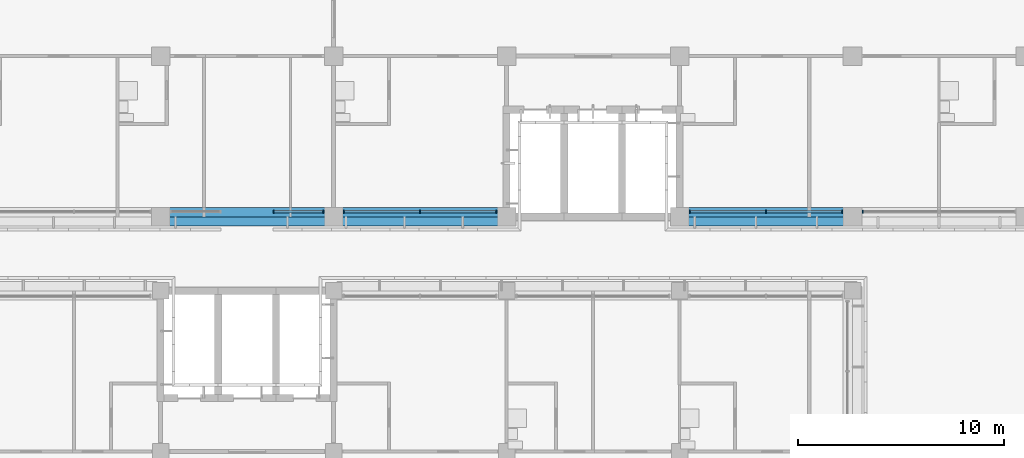
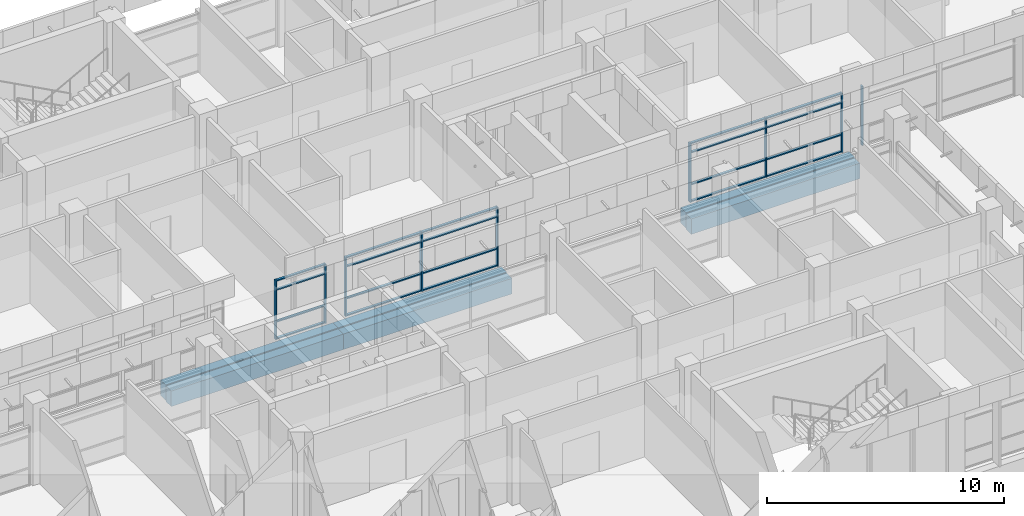
# One storey, part 33 of 137: 29 members, 6 beams, 4 elements without a shape of their own.
"""IFC4 building model written with IfcOpenShell, lengths in metres."""

from ifc_helpers import new_model, si_unit, direction, frame, origin, origin_2d, place, context, subcontext, project, spatial, rectangle, extrude, material, material_profile, profile_set, type_object, element, aggregate, save


model = new_model("IFC4")

# Units and contexts
model_context = context("Model", 3, precision=1e-05, world=origin(), true_north=direction((0.0, 1.0)))
body_context = subcontext(model_context, "Body", "Model", "MODEL_VIEW")
ifc_project = project(units=[si_unit("LENGTHUNIT", "METRE"), si_unit("AREAUNIT", "SQUARE_METRE"), si_unit("VOLUMEUNIT", "CUBIC_METRE"), si_unit("PLANEANGLEUNIT", "RADIAN"), si_unit("MASSUNIT", "GRAM", prefix="KILO")], contexts=[model_context])

# Site, building, storey
site_placement = place(None, origin())
site = spatial("IfcSite", under=ifc_project, at=site_placement, CompositionType="ELEMENT")
building_placement = place(site_placement, origin())
building = spatial("IfcBuilding", under=site, at=building_placement, Name="Bougainvillea Quay General Hospital", CompositionType="ELEMENT")
storey_placement = place(building_placement, frame((0.0, 0.0, 16.800048828125)))
storey = spatial("IfcBuildingStorey", under=building, at=storey_placement, Name="L03", CompositionType="ELEMENT", Elevation=16.800048828125)

# Curtain wall, members
ifc_material_1 = material(Name="Aluminium curtain wall system, powder-coated glazed", Category="aluminium")
curtain_wall_type_1 = type_object("IfcCurtainWallType", Name="Unitised curtain wall CW-2470", PredefinedType="NOTDEFINED", material=ifc_material_1)
curtain_wall_1_placement = place(storey_placement, origin())
curtain_wall_1 = element("IfcCurtainWall", 1, at=curtain_wall_1_placement, inside=storey, type_object=curtain_wall_type_1, Name="CW-4200 00", PredefinedType="NOTDEFINED")
ifc_material_2 = material(Name="Aluminium mullion, powder-coated charcoal", Category="aluminium")
ifc_material_profile_1 = material_profile(ifc_material_2, rectangle(XDim=0.159912109375, YDim=0.06005859375, at=origin_2d()))
ifc_profile_set_1 = profile_set([ifc_material_profile_1], Name="Aluminium mullion, powder-coated charcoal")
member_type_1 = type_object("IfcMemberType", Name="Curtain wall mullion 160x60", PredefinedType="MULLION", material=ifc_profile_set_1)
member_1_placement = place(storey_placement, frame((139.889892578125, 140.64990234375, 0.0), z_axis=(0.0, 0.0, 1.0), x_axis=(0.0, 1.0, 0.0)))
member_1 = element("IfcMember", 2, at=member_1_placement, type_object=member_type_1, Name="CW-4200 mullion 1", PredefinedType="MULLION", context=body_context, shape_type="SweptSolid", body=[
    extrude(rectangle(XDim=0.159912109375, YDim=0.06005859375, at=origin_2d()), origin(), (0.0, 0.0, 1.0), 3.050048828125),
])
member_2_placement = place(storey_placement, frame((142.300048828125, 140.64990234375, 0.0), z_axis=(0.0, 0.0, 1.0), x_axis=(0.0, 1.0, 0.0)))
member_2 = element("IfcMember", 3, at=member_2_placement, type_object=member_type_1, Name="CW-4200 mullion 2", PredefinedType="MULLION", context=body_context, shape_type="SweptSolid", body=[
    extrude(rectangle(XDim=0.159912109375, YDim=0.06005859375, at=origin_2d()), origin(), (0.0, 0.0, 1.0), 3.050048828125),
])

curtain_wall_type_2 = type_object("IfcCurtainWallType", Name="Unitised curtain wall CW-3730", PredefinedType="NOTDEFINED", material=ifc_material_1)
curtain_wall_2_placement = place(storey_placement, origin())
curtain_wall_2 = element("IfcCurtainWall", 4, at=curtain_wall_2_placement, inside=storey, type_object=curtain_wall_type_2, Name="CW-4200 01", PredefinedType="NOTDEFINED")
member_3_placement = place(storey_placement, frame((143.300048828125, 140.64990234375, 0.0), z_axis=(0.0, 0.0, 1.0), x_axis=(0.0, 1.0, 0.0)))
member_3 = element("IfcMember", 5, at=member_3_placement, type_object=member_type_1, Name="CW-4200 mullion 1", PredefinedType="MULLION", context=body_context, shape_type="SweptSolid", body=[
    extrude(rectangle(XDim=0.159912109375, YDim=0.06005859375, at=origin_2d()), origin(), (0.0, 0.0, 1.0), 3.050048828125),
])
member_4_placement = place(storey_placement, frame((147.0, 140.64990234375, 0.0), z_axis=(0.0, 0.0, 1.0), x_axis=(0.0, 1.0, 0.0)))
member_4 = element("IfcMember", 6, at=member_4_placement, type_object=member_type_1, Name="CW-4200 mullion 2", PredefinedType="MULLION", context=body_context, shape_type="SweptSolid", body=[
    extrude(rectangle(XDim=0.159912109375, YDim=0.06005859375, at=origin_2d()), origin(), (0.0, 0.0, 1.0), 3.050048828125),
])
member_5_placement = place(storey_placement, frame((150.699951171875, 140.64990234375, 0.0), z_axis=(0.0, 0.0, 1.0), x_axis=(0.0, 1.0, 0.0)))
member_5 = element("IfcMember", 7, at=member_5_placement, type_object=member_type_1, Name="CW-4200 mullion 3", PredefinedType="MULLION", context=body_context, shape_type="SweptSolid", body=[
    extrude(rectangle(XDim=0.159912109375, YDim=0.06005859375, at=origin_2d()), origin(), (0.0, 0.0, 1.0), 3.050048828125),
])

curtain_wall_3_placement = place(storey_placement, origin())
curtain_wall_3 = element("IfcCurtainWall", 8, at=curtain_wall_3_placement, inside=storey, type_object=curtain_wall_type_2, Name="CW-4200 00", PredefinedType="NOTDEFINED")
member_6_placement = place(storey_placement, frame((160.10009765625, 140.64990234375, 0.0), z_axis=(0.0, 0.0, 1.0), x_axis=(0.0, 1.0, 0.0)))
member_6 = element("IfcMember", 9, at=member_6_placement, type_object=member_type_1, Name="CW-4200 mullion 1", PredefinedType="MULLION", context=body_context, shape_type="SweptSolid", body=[
    extrude(rectangle(XDim=0.159912109375, YDim=0.06005859375, at=origin_2d()), origin(), (0.0, 0.0, 1.0), 3.050048828125),
])
member_7_placement = place(storey_placement, frame((163.800048828125, 140.64990234375, 0.0), z_axis=(0.0, 0.0, 1.0), x_axis=(0.0, 1.0, 0.0)))
member_7 = element("IfcMember", 10, at=member_7_placement, type_object=member_type_1, Name="CW-4200 mullion 2", PredefinedType="MULLION", context=body_context, shape_type="SweptSolid", body=[
    extrude(rectangle(XDim=0.159912109375, YDim=0.06005859375, at=origin_2d()), origin(), (0.0, 0.0, 1.0), 3.050048828125),
])
member_8_placement = place(storey_placement, frame((167.5, 140.64990234375, 0.0), z_axis=(0.0, 0.0, 1.0), x_axis=(0.0, 1.0, 0.0)))
member_8 = element("IfcMember", 11, at=member_8_placement, type_object=member_type_1, Name="CW-4200 mullion 3", PredefinedType="MULLION", context=body_context, shape_type="SweptSolid", body=[
    extrude(rectangle(XDim=0.159912109375, YDim=0.06005859375, at=origin_2d()), origin(), (0.0, 0.0, 1.0), 3.050048828125),
])

# Curtain wall, member
curtain_wall_4_placement = place(storey_placement, origin())
curtain_wall_4 = element("IfcCurtainWall", 12, at=curtain_wall_4_placement, inside=storey, type_object=curtain_wall_type_2, Name="CW-4200 01", PredefinedType="NOTDEFINED")
member_9_placement = place(storey_placement, frame((168.5, 140.64990234375, 0.0), z_axis=(0.0, 0.0, 1.0), x_axis=(0.0, 1.0, 0.0)))
member_9 = element("IfcMember", 13, at=member_9_placement, type_object=member_type_1, Name="CW-4200 mullion 1", PredefinedType="MULLION", context=body_context, shape_type="SweptSolid", body=[
    extrude(rectangle(XDim=0.159912109375, YDim=0.06005859375, at=origin_2d()), origin(), (0.0, 0.0, 1.0), 3.050048828125),
])
aggregate(curtain_wall_4, [member_9])

# Member
ifc_material_3 = material(Name="Aluminium transom, powder-coated charcoal", Category="aluminium")
ifc_material_profile_2 = material_profile(ifc_material_3, rectangle(XDim=0.1201171875, YDim=0.06005859375, at=origin_2d()))
ifc_profile_set_2 = profile_set([ifc_material_profile_2], Name="Aluminium transom, powder-coated charcoal")
member_type_2 = type_object("IfcMemberType", Name="Curtain wall transom 120x60", PredefinedType="USERDEFINED", material=ifc_profile_set_2)
member_10_placement = place(storey_placement, frame((139.919921875, 140.64990234375, 0.030029296875), z_axis=(1.0, 0.0, 0.0), x_axis=(0.0, 1.0, 0.0)))
member_10 = element("IfcMember", 14, at=member_10_placement, type_object=member_type_2, Name="CW-4200 transom 1.1", ObjectType="TRANSOM", PredefinedType="USERDEFINED", context=body_context, shape_type="SweptSolid", body=[
    extrude(rectangle(XDim=0.1201171875, YDim=0.06005859375, at=origin_2d()), origin(), (0.0, 0.0, 1.0), 2.35009765625),
])

member_11_placement = place(storey_placement, frame((139.919921875, 140.64990234375, 0.89990234375), z_axis=(1.0, 0.0, 0.0), x_axis=(0.0, 1.0, 0.0)))
member_11 = element("IfcMember", 15, at=member_11_placement, type_object=member_type_2, Name="CW-4200 transom 1.2", ObjectType="TRANSOM", PredefinedType="USERDEFINED", context=body_context, shape_type="SweptSolid", body=[
    extrude(rectangle(XDim=0.1201171875, YDim=0.06005859375, at=origin_2d()), origin(), (0.0, 0.0, 1.0), 2.35009765625),
])

member_12_placement = place(storey_placement, frame((139.919921875, 140.64990234375, 2.550048828125), z_axis=(1.0, 0.0, 0.0), x_axis=(0.0, 1.0, 0.0)))
member_12 = element("IfcMember", 16, at=member_12_placement, type_object=member_type_2, Name="CW-4200 transom 1.3", ObjectType="TRANSOM", PredefinedType="USERDEFINED", context=body_context, shape_type="SweptSolid", body=[
    extrude(rectangle(XDim=0.1201171875, YDim=0.06005859375, at=origin_2d()), origin(), (0.0, 0.0, 1.0), 2.35009765625),
])

member_13_placement = place(storey_placement, frame((139.919921875, 140.64990234375, 3.02001953125), z_axis=(1.0, 0.0, 0.0), x_axis=(0.0, 1.0, 0.0)))
member_13 = element("IfcMember", 17, at=member_13_placement, type_object=member_type_2, Name="CW-4200 transom 1.4", ObjectType="TRANSOM", PredefinedType="USERDEFINED", context=body_context, shape_type="SweptSolid", body=[
    extrude(rectangle(XDim=0.1201171875, YDim=0.06005859375, at=origin_2d()), origin(), (0.0, 0.0, 1.0), 2.35009765625),
])

aggregate(curtain_wall_1, [member_1, member_2, member_10, member_11, member_12, member_13])

member_14_placement = place(storey_placement, frame((143.330078125, 140.64990234375, 0.030029296875), z_axis=(1.0, 0.0, 0.0), x_axis=(0.0, 1.0, 0.0)))
member_14 = element("IfcMember", 18, at=member_14_placement, type_object=member_type_2, Name="CW-4200 transom 1.1", ObjectType="TRANSOM", PredefinedType="USERDEFINED", context=body_context, shape_type="SweptSolid", body=[
    extrude(rectangle(XDim=0.1201171875, YDim=0.06005859375, at=origin_2d()), origin(), (0.0, 0.0, 1.0), 3.639892578125),
])

member_15_placement = place(storey_placement, frame((143.330078125, 140.64990234375, 0.89990234375), z_axis=(1.0, 0.0, 0.0), x_axis=(0.0, 1.0, 0.0)))
member_15 = element("IfcMember", 19, at=member_15_placement, type_object=member_type_2, Name="CW-4200 transom 1.2", ObjectType="TRANSOM", PredefinedType="USERDEFINED", context=body_context, shape_type="SweptSolid", body=[
    extrude(rectangle(XDim=0.1201171875, YDim=0.06005859375, at=origin_2d()), origin(), (0.0, 0.0, 1.0), 3.639892578125),
])

member_16_placement = place(storey_placement, frame((143.330078125, 140.64990234375, 2.550048828125), z_axis=(1.0, 0.0, 0.0), x_axis=(0.0, 1.0, 0.0)))
member_16 = element("IfcMember", 20, at=member_16_placement, type_object=member_type_2, Name="CW-4200 transom 1.3", ObjectType="TRANSOM", PredefinedType="USERDEFINED", context=body_context, shape_type="SweptSolid", body=[
    extrude(rectangle(XDim=0.1201171875, YDim=0.06005859375, at=origin_2d()), origin(), (0.0, 0.0, 1.0), 3.639892578125),
])

member_17_placement = place(storey_placement, frame((143.330078125, 140.64990234375, 3.02001953125), z_axis=(1.0, 0.0, 0.0), x_axis=(0.0, 1.0, 0.0)))
member_17 = element("IfcMember", 21, at=member_17_placement, type_object=member_type_2, Name="CW-4200 transom 1.4", ObjectType="TRANSOM", PredefinedType="USERDEFINED", context=body_context, shape_type="SweptSolid", body=[
    extrude(rectangle(XDim=0.1201171875, YDim=0.06005859375, at=origin_2d()), origin(), (0.0, 0.0, 1.0), 3.639892578125),
])

member_18_placement = place(storey_placement, frame((147.030029296875, 140.64990234375, 0.030029296875), z_axis=(1.0, 0.0, 0.0), x_axis=(0.0, 1.0, 0.0)))
member_18 = element("IfcMember", 22, at=member_18_placement, type_object=member_type_2, Name="CW-4200 transom 2.1", ObjectType="TRANSOM", PredefinedType="USERDEFINED", context=body_context, shape_type="SweptSolid", body=[
    extrude(rectangle(XDim=0.1201171875, YDim=0.06005859375, at=origin_2d()), origin(), (0.0, 0.0, 1.0), 3.639892578125),
])

member_19_placement = place(storey_placement, frame((147.030029296875, 140.64990234375, 0.89990234375), z_axis=(1.0, 0.0, 0.0), x_axis=(0.0, 1.0, 0.0)))
member_19 = element("IfcMember", 23, at=member_19_placement, type_object=member_type_2, Name="CW-4200 transom 2.2", ObjectType="TRANSOM", PredefinedType="USERDEFINED", context=body_context, shape_type="SweptSolid", body=[
    extrude(rectangle(XDim=0.1201171875, YDim=0.06005859375, at=origin_2d()), origin(), (0.0, 0.0, 1.0), 3.639892578125),
])

member_20_placement = place(storey_placement, frame((147.030029296875, 140.64990234375, 2.550048828125), z_axis=(1.0, 0.0, 0.0), x_axis=(0.0, 1.0, 0.0)))
member_20 = element("IfcMember", 24, at=member_20_placement, type_object=member_type_2, Name="CW-4200 transom 2.3", ObjectType="TRANSOM", PredefinedType="USERDEFINED", context=body_context, shape_type="SweptSolid", body=[
    extrude(rectangle(XDim=0.1201171875, YDim=0.06005859375, at=origin_2d()), origin(), (0.0, 0.0, 1.0), 3.639892578125),
])

member_21_placement = place(storey_placement, frame((147.030029296875, 140.64990234375, 3.02001953125), z_axis=(1.0, 0.0, 0.0), x_axis=(0.0, 1.0, 0.0)))
member_21 = element("IfcMember", 25, at=member_21_placement, type_object=member_type_2, Name="CW-4200 transom 2.4", ObjectType="TRANSOM", PredefinedType="USERDEFINED", context=body_context, shape_type="SweptSolid", body=[
    extrude(rectangle(XDim=0.1201171875, YDim=0.06005859375, at=origin_2d()), origin(), (0.0, 0.0, 1.0), 3.639892578125),
])

aggregate(curtain_wall_2, [member_3, member_4, member_5, member_14, member_15, member_16, member_17, member_18, member_19, member_20, member_21])

member_22_placement = place(storey_placement, frame((160.1298828125, 140.64990234375, 0.030029296875), z_axis=(1.0, 0.0, 0.0), x_axis=(0.0, 1.0, 0.0)))
member_22 = element("IfcMember", 26, at=member_22_placement, type_object=member_type_2, Name="CW-4200 transom 1.1", ObjectType="TRANSOM", PredefinedType="USERDEFINED", context=body_context, shape_type="SweptSolid", body=[
    extrude(rectangle(XDim=0.1201171875, YDim=0.06005859375, at=origin_2d()), origin(), (0.0, 0.0, 1.0), 3.64013671875),
])

member_23_placement = place(storey_placement, frame((160.1298828125, 140.64990234375, 0.89990234375), z_axis=(1.0, 0.0, 0.0), x_axis=(0.0, 1.0, 0.0)))
member_23 = element("IfcMember", 27, at=member_23_placement, type_object=member_type_2, Name="CW-4200 transom 1.2", ObjectType="TRANSOM", PredefinedType="USERDEFINED", context=body_context, shape_type="SweptSolid", body=[
    extrude(rectangle(XDim=0.1201171875, YDim=0.06005859375, at=origin_2d()), origin(), (0.0, 0.0, 1.0), 3.64013671875),
])

member_24_placement = place(storey_placement, frame((160.1298828125, 140.64990234375, 2.550048828125), z_axis=(1.0, 0.0, 0.0), x_axis=(0.0, 1.0, 0.0)))
member_24 = element("IfcMember", 28, at=member_24_placement, type_object=member_type_2, Name="CW-4200 transom 1.3", ObjectType="TRANSOM", PredefinedType="USERDEFINED", context=body_context, shape_type="SweptSolid", body=[
    extrude(rectangle(XDim=0.1201171875, YDim=0.06005859375, at=origin_2d()), origin(), (0.0, 0.0, 1.0), 3.64013671875),
])

member_25_placement = place(storey_placement, frame((160.1298828125, 140.64990234375, 3.02001953125), z_axis=(1.0, 0.0, 0.0), x_axis=(0.0, 1.0, 0.0)))
member_25 = element("IfcMember", 29, at=member_25_placement, type_object=member_type_2, Name="CW-4200 transom 1.4", ObjectType="TRANSOM", PredefinedType="USERDEFINED", context=body_context, shape_type="SweptSolid", body=[
    extrude(rectangle(XDim=0.1201171875, YDim=0.06005859375, at=origin_2d()), origin(), (0.0, 0.0, 1.0), 3.64013671875),
])

member_26_placement = place(storey_placement, frame((163.830078125, 140.64990234375, 0.030029296875), z_axis=(1.0, 0.0, 0.0), x_axis=(0.0, 1.0, 0.0)))
member_26 = element("IfcMember", 30, at=member_26_placement, type_object=member_type_2, Name="CW-4200 transom 2.1", ObjectType="TRANSOM", PredefinedType="USERDEFINED", context=body_context, shape_type="SweptSolid", body=[
    extrude(rectangle(XDim=0.1201171875, YDim=0.06005859375, at=origin_2d()), origin(), (0.0, 0.0, 1.0), 3.639892578125),
])

member_27_placement = place(storey_placement, frame((163.830078125, 140.64990234375, 0.89990234375), z_axis=(1.0, 0.0, 0.0), x_axis=(0.0, 1.0, 0.0)))
member_27 = element("IfcMember", 31, at=member_27_placement, type_object=member_type_2, Name="CW-4200 transom 2.2", ObjectType="TRANSOM", PredefinedType="USERDEFINED", context=body_context, shape_type="SweptSolid", body=[
    extrude(rectangle(XDim=0.1201171875, YDim=0.06005859375, at=origin_2d()), origin(), (0.0, 0.0, 1.0), 3.639892578125),
])

member_28_placement = place(storey_placement, frame((163.830078125, 140.64990234375, 2.550048828125), z_axis=(1.0, 0.0, 0.0), x_axis=(0.0, 1.0, 0.0)))
member_28 = element("IfcMember", 32, at=member_28_placement, type_object=member_type_2, Name="CW-4200 transom 2.3", ObjectType="TRANSOM", PredefinedType="USERDEFINED", context=body_context, shape_type="SweptSolid", body=[
    extrude(rectangle(XDim=0.1201171875, YDim=0.06005859375, at=origin_2d()), origin(), (0.0, 0.0, 1.0), 3.639892578125),
])

member_29_placement = place(storey_placement, frame((163.830078125, 140.64990234375, 3.02001953125), z_axis=(1.0, 0.0, 0.0), x_axis=(0.0, 1.0, 0.0)))
member_29 = element("IfcMember", 33, at=member_29_placement, type_object=member_type_2, Name="CW-4200 transom 2.4", ObjectType="TRANSOM", PredefinedType="USERDEFINED", context=body_context, shape_type="SweptSolid", body=[
    extrude(rectangle(XDim=0.1201171875, YDim=0.06005859375, at=origin_2d()), origin(), (0.0, 0.0, 1.0), 3.639892578125),
])

aggregate(curtain_wall_3, [member_6, member_7, member_8, member_22, member_23, member_24, member_25, member_26, member_27, member_28, member_29])

# Beams
ifc_material_4 = material(Name="Concrete C40", Category="concrete")
ifc_material_profile_3 = material_profile(ifc_material_4, rectangle(XDim=0.449951171875, YDim=0.800048828125, at=origin_2d()))
ifc_profile_set_3 = profile_set([ifc_material_profile_3], Name="Concrete C40")
beam_type = type_object("IfcBeamType", Name="RC BEAM 450x800 C40", PredefinedType="BEAM", material=ifc_profile_set_3)
beam_1_placement = place(storey_placement, frame((159.77490234375, 140.625, -0.699951171875), z_axis=(1.0, 0.0, 0.0), x_axis=(0.0, 1.0, 0.0)))
element("IfcBeam", 34, at=beam_1_placement, inside=storey, type_object=beam_type, Name="Edge beam L03", PredefinedType="BEAM", context=body_context, shape_type="SweptSolid", body=[
    extrude(rectangle(XDim=0.449951171875, YDim=0.800048828125, at=origin_2d()), origin(), (0.0, 0.0, 1.0), 8.22509765625),
])
beam_2_placement = place(storey_placement, frame((134.39990234375, 140.625, -0.699951171875), z_axis=(1.0, 0.0, 0.0), x_axis=(0.0, 1.0, 0.0)))
element("IfcBeam", 35, at=beam_2_placement, inside=storey, type_object=beam_type, Name="Edge beam L03", PredefinedType="BEAM", context=body_context, shape_type="SweptSolid", body=[
    extrude(rectangle(XDim=0.449951171875, YDim=0.800048828125, at=origin_2d()), origin(), (0.0, 0.0, 1.0), 8.400146484375),
])
beam_3_placement = place(storey_placement, frame((142.800048828125, 140.625, -0.699951171875), z_axis=(1.0, 0.0, 0.0), x_axis=(0.0, 1.0, 0.0)))
element("IfcBeam", 36, at=beam_3_placement, inside=storey, type_object=beam_type, Name="Edge beam L03", PredefinedType="BEAM", context=body_context, shape_type="SweptSolid", body=[
    extrude(rectangle(XDim=0.449951171875, YDim=0.800048828125, at=origin_2d()), origin(), (0.0, 0.0, 1.0), 8.224853515625),
])
beam_4_placement = place(storey_placement, frame((168.0, 140.175048828125, -0.75), z_axis=(-1.0, 0.0, 0.0), x_axis=(0.0, -1.0, 0.0)))
element("IfcBeam", 37, at=beam_4_placement, inside=storey, type_object=beam_type, Name="Edge beam L03", PredefinedType="BEAM", context=body_context, shape_type="SweptSolid", body=[
    extrude(rectangle(XDim=0.449951171875, YDim=0.800048828125, at=origin_2d()), origin(), (0.0, 0.0, 1.0), 8.22509765625),
])
beam_5_placement = place(storey_placement, frame((151.02490234375, 140.175048828125, -0.75), z_axis=(-1.0, 0.0, 0.0), x_axis=(0.0, -1.0, 0.0)))
element("IfcBeam", 38, at=beam_5_placement, inside=storey, type_object=beam_type, Name="Edge beam L03", PredefinedType="BEAM", context=body_context, shape_type="SweptSolid", body=[
    extrude(rectangle(XDim=0.449951171875, YDim=0.800048828125, at=origin_2d()), origin(), (0.0, 0.0, 1.0), 8.224853515625),
])
beam_6_placement = place(storey_placement, frame((142.800048828125, 140.175048828125, -0.75), z_axis=(-1.0, 0.0, 0.0), x_axis=(0.0, -1.0, 0.0)))
element("IfcBeam", 39, at=beam_6_placement, inside=storey, type_object=beam_type, Name="Edge beam L03", PredefinedType="BEAM", context=body_context, shape_type="SweptSolid", body=[
    extrude(rectangle(XDim=0.449951171875, YDim=0.800048828125, at=origin_2d()), origin(), (0.0, 0.0, 1.0), 8.400146484375),
])

save(model, "model.ifc")
